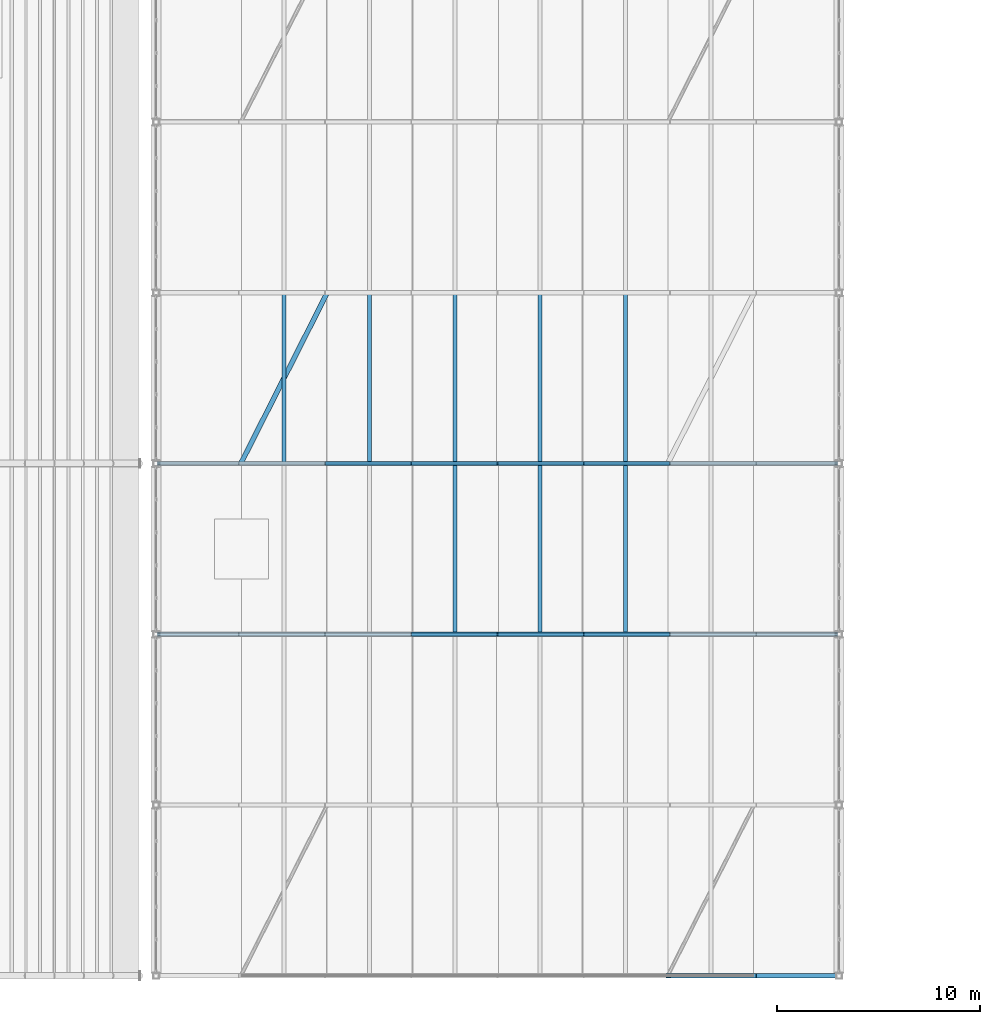
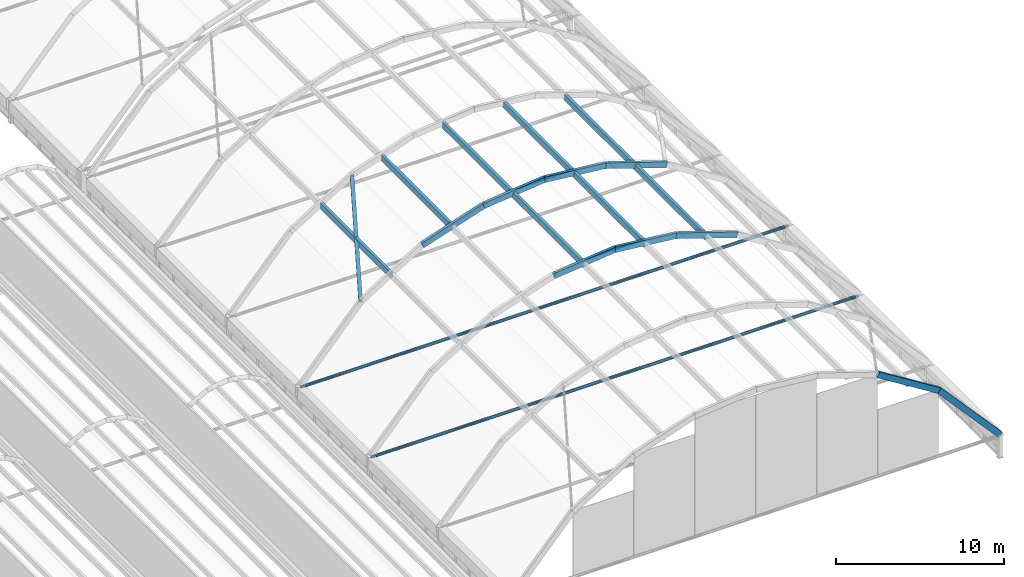
# One storey, part 20 of 114: 11 beams, 9 members.
"""IFC4 building model written with IfcOpenShell, lengths in metres."""

from ifc_helpers import new_model, si_unit, direction, frame, origin, origin_2d, place, context, subcontext, project, spatial, rectangle, hollow_rectangle, hollow_circle, i_section, extrude, material, material_profile, profile_set, type_object, element, save


model = new_model("IFC4")

# Units and contexts
model_context = context("Model", 3, precision=1e-05, world=origin(), true_north=direction((0.0, 1.0)))
body_context = subcontext(model_context, "Body", "Model", "MODEL_VIEW")
ifc_project = project(units=[si_unit("LENGTHUNIT", "METRE"), si_unit("AREAUNIT", "SQUARE_METRE"), si_unit("VOLUMEUNIT", "CUBIC_METRE"), si_unit("PLANEANGLEUNIT", "RADIAN"), si_unit("MASSUNIT", "GRAM", prefix="KILO")], contexts=[model_context])

# Site, building, storey
site_placement = place(None, origin())
site = spatial("IfcSite", under=ifc_project, at=site_placement, CompositionType="ELEMENT")
building_placement = place(site_placement, origin())
building = spatial("IfcBuilding", under=site, at=building_placement, Name="Xazarin Passage Department Store", CompositionType="ELEMENT")
storey_placement = place(building_placement, frame((0.0, 0.0, 14.39990234375)))
storey = spatial("IfcBuildingStorey", under=building, at=storey_placement, Name="L03", CompositionType="ELEMENT", Elevation=14.39990234375)

# Beams
ifc_material_1 = material(Name="Steel S355", Category="steel")
ifc_material_profile_1 = material_profile(ifc_material_1, hollow_rectangle(XDim=0.199951171875, YDim=0.39990234375, WallThickness=0.01611328125, at=origin_2d()), Name="RHS 400x200x16")
ifc_profile_set_1 = profile_set([ifc_material_profile_1], Name="Steel S355")
beam_type_1 = type_object("IfcBeamType", Name="STR-BM-AR400", PredefinedType="BEAM", material=ifc_profile_set_1)
beam_1_placement = place(storey_placement, frame((93.199951171875, 0.0, 8.95068359375), z_axis=(0.848571440894, 0.0, -0.529080815848), x_axis=(0.0, 1.0, 0.0)))
element("IfcBeam", 1, at=beam_1_placement, inside=storey, type_object=beam_type_1, Name="V2S Primary Arch Rib 1.7", PredefinedType="BEAM", context=body_context, shape_type="SweptSolid", body=[
    extrude(hollow_rectangle(XDim=0.199951171875, YDim=0.39990234375, WallThickness=0.01611328125, at=origin_2d()), origin(), (0.0, 0.0, 1.0), 4.949462890625),
])
beam_2_placement = place(storey_placement, frame((97.39990234375, 0.0, 6.33203125), z_axis=(0.667913050078, 0.0, -0.744239314694), x_axis=(0.0, 1.0, 0.0)))
element("IfcBeam", 2, at=beam_2_placement, inside=storey, type_object=beam_type_1, Name="V2S Primary Arch Rib 1.8", PredefinedType="BEAM", context=body_context, shape_type="SweptSolid", body=[
    extrude(hollow_rectangle(XDim=0.199951171875, YDim=0.39990234375, WallThickness=0.01611328125, at=origin_2d()), origin(), (0.0, 0.0, 1.0), 6.28857421875),
])
for number, where, z_axis, x_axis, name in (
    (3, (80.60009765625, 16.800048828125, 10.35400390625), (0.994407785938, 0.0, 0.105608499966), (0.0, 1.0, 0.0), "V2S Primary Arch Rib 3.4"),
    (4, (84.800048828125, 16.800048828125, 10.800048828125), (0.994407785938, 0.0, -0.105608499966), (0.0, 1.0, 0.0), "V2S Primary Arch Rib 3.5"),
):
    element("IfcBeam", number, at=place(storey_placement, frame(where, z_axis=z_axis, x_axis=x_axis)), inside=storey, type_object=beam_type_1, Name=name, PredefinedType="BEAM", context=body_context, shape_type="SweptSolid", body=[
        extrude(hollow_rectangle(XDim=0.199951171875, YDim=0.39990234375, WallThickness=0.01611328125, at=origin_2d()), origin(), (0.0, 0.0, 1.0), 4.2236328125),
    ])
beam_3_placement = place(storey_placement, frame((89.0, 16.800048828125, 10.35400390625), z_axis=(0.948457009421, 0.0, -0.316905823993), x_axis=(0.0, 1.0, 0.0)))
element("IfcBeam", 5, at=beam_3_placement, inside=storey, type_object=beam_type_1, Name="V2S Primary Arch Rib 3.6", PredefinedType="BEAM", context=body_context, shape_type="SweptSolid", body=[
    extrude(hollow_rectangle(XDim=0.199951171875, YDim=0.39990234375, WallThickness=0.01611328125, at=origin_2d()), origin(), (0.0, 0.0, 1.0), 4.42822265625),
])
beam_4_placement = place(storey_placement, frame((76.39990234375, 25.199951171875, 8.95068359375), z_axis=(0.948462545979, 0.0, 0.31688925333), x_axis=(0.0, 1.0, 0.0)))
element("IfcBeam", 6, at=beam_4_placement, inside=storey, type_object=beam_type_1, Name="V2S Primary Arch Rib 4.3", PredefinedType="BEAM", context=body_context, shape_type="SweptSolid", body=[
    extrude(hollow_rectangle(XDim=0.199951171875, YDim=0.39990234375, WallThickness=0.01611328125, at=origin_2d()), origin(), (0.0, 0.0, 1.0), 4.428466796875),
])
for number, where, z_axis, x_axis, name in (
    (7, (80.60009765625, 25.199951171875, 10.35400390625), (0.994407785938, 0.0, 0.105608499966), (0.0, 1.0, 0.0), "V2S Primary Arch Rib 4.4"),
    (8, (84.800048828125, 25.199951171875, 10.800048828125), (0.994407785938, 0.0, -0.105608499966), (0.0, 1.0, 0.0), "V2S Primary Arch Rib 4.5"),
):
    element("IfcBeam", number, at=place(storey_placement, frame(where, z_axis=z_axis, x_axis=x_axis)), inside=storey, type_object=beam_type_1, Name=name, PredefinedType="BEAM", context=body_context, shape_type="SweptSolid", body=[
        extrude(hollow_rectangle(XDim=0.199951171875, YDim=0.39990234375, WallThickness=0.01611328125, at=origin_2d()), origin(), (0.0, 0.0, 1.0), 4.2236328125),
    ])
beam_5_placement = place(storey_placement, frame((89.0, 25.199951171875, 10.35400390625), z_axis=(0.948457009421, 0.0, -0.316905823993), x_axis=(0.0, 1.0, 0.0)))
element("IfcBeam", 9, at=beam_5_placement, inside=storey, type_object=beam_type_1, Name="V2S Primary Arch Rib 4.6", PredefinedType="BEAM", context=body_context, shape_type="SweptSolid", body=[
    extrude(hollow_rectangle(XDim=0.199951171875, YDim=0.39990234375, WallThickness=0.01611328125, at=origin_2d()), origin(), (0.0, 0.0, 1.0), 4.42822265625),
])
ifc_material_profile_2 = material_profile(ifc_material_1, hollow_circle(Radius=0.109619140625, WallThickness=0.012451171875, at=origin_2d()), Name="CHS 219.1x12.5")
ifc_profile_set_2 = profile_set([ifc_material_profile_2], Name="Steel S355")
beam_type_2 = type_object("IfcBeamType", Name="STR-BM-TIE219", PredefinedType="BEAM", material=ifc_profile_set_2)
for number, where, z_axis, x_axis, name in (
    (10, (68.050048828125, 16.800048828125, 1.53173828125), (1.0, 0.0, 0.0), (0.0, 1.0, 0.0), "V2S Arch Tie Beam 3"),
    (11, (68.050048828125, 25.199951171875, 1.53173828125), (1.0, 0.0, 0.0), (0.0, 1.0, 0.0), "V2S Arch Tie Beam 4"),
):
    element("IfcBeam", number, at=place(storey_placement, frame(where, z_axis=z_axis, x_axis=x_axis)), inside=storey, type_object=beam_type_2, Name=name, PredefinedType="BEAM", context=body_context, shape_type="SweptSolid", body=[
        extrude(hollow_circle(Radius=0.109619140625, WallThickness=0.012451171875, at=origin_2d()), origin(), (0.0, 0.0, 1.0), 33.5),
    ])

# Members
ifc_material_2 = material(Name="Glulam GL28h", Category="wood")
ifc_material_profile_3 = material_profile(ifc_material_2, rectangle(XDim=0.199951171875, YDim=0.43994140625, at=origin_2d()), Name="GL28h 200x440")
ifc_profile_set_3 = profile_set([ifc_material_profile_3], Name="Glulam GL28h")
member_type_1 = type_object("IfcMemberType", Name="STR-MEM-GL440", PredefinedType="PURLIN", material=ifc_profile_set_3)
for number, where, z_axis, x_axis, name in (
    (12, (82.699951171875, 16.820068359375, 10.43701171875), (0.0, 1.0, 0.0), (-1.0, 0.0, 0.0), "V2S Glulam Gridshell Purlin 3.4"),
    (13, (86.89990234375, 16.820068359375, 10.43701171875), (0.0, 1.0, 0.0), (-1.0, 0.0, 0.0), "V2S Glulam Gridshell Purlin 3.5"),
    (14, (91.10009765625, 16.820068359375, 9.512451171875), (0.0, 1.0, 0.0), (-1.0, 0.0, 0.0), "V2S Glulam Gridshell Purlin 3.6"),
):
    element("IfcMember", number, at=place(storey_placement, frame(where, z_axis=z_axis, x_axis=x_axis)), inside=storey, type_object=member_type_1, Name=name, PredefinedType="PURLIN", context=body_context, shape_type="SweptSolid", body=[
        extrude(rectangle(XDim=0.199951171875, YDim=0.43994140625, at=origin_2d()), origin(), (0.0, 0.0, 1.0), 8.35986328125),
    ])
for number, where, z_axis, x_axis, name in (
    (15, (74.300048828125, 25.219970703125, 7.501220703125), (0.0, 1.0, 0.0), (-1.0, 0.0, 0.0), "V2S Glulam Gridshell Purlin 4.2"),
    (16, (78.5, 25.219970703125, 9.512451171875), (0.0, 1.0, 0.0), (-1.0, 0.0, 0.0), "V2S Glulam Gridshell Purlin 4.3"),
    (17, (82.699951171875, 25.219970703125, 10.43701171875), (0.0, 1.0, 0.0), (-1.0, 0.0, 0.0), "V2S Glulam Gridshell Purlin 4.4"),
    (18, (86.89990234375, 25.219970703125, 10.43701171875), (0.0, 1.0, 0.0), (-1.0, 0.0, 0.0), "V2S Glulam Gridshell Purlin 4.5"),
    (19, (91.10009765625, 25.219970703125, 9.512451171875), (0.0, 1.0, 0.0), (-1.0, 0.0, 0.0), "V2S Glulam Gridshell Purlin 4.6"),
):
    element("IfcMember", number, at=place(storey_placement, frame(where, z_axis=z_axis, x_axis=x_axis)), inside=storey, type_object=member_type_1, Name=name, PredefinedType="PURLIN", context=body_context, shape_type="SweptSolid", body=[
        extrude(rectangle(XDim=0.199951171875, YDim=0.43994140625, at=origin_2d()), origin(), (0.0, 0.0, 1.0), 8.360107421875),
    ])
ifc_material_profile_4 = material_profile(ifc_material_1, i_section(OverallWidth=0.239990234375, OverallDepth=0.239990234375, WebThickness=0.010009765625, FlangeThickness=0.01708984375, FilletRadius=0.02099609375, at=origin_2d()), Name="HEB 240")
ifc_profile_set_4 = profile_set([ifc_material_profile_4], Name="Steel S355")
member_type_2 = type_object("IfcMemberType", Name="STR-MEM-HB240", PredefinedType="BRACE", material=ifc_profile_set_4)
member_placement = place(storey_placement, frame((72.199951171875, 25.25, 6.281982421875), z_axis=(0.434609592328, 0.858886375073, 0.270977299733), x_axis=(-0.892269998561, 0.451502214467, 0.0)))
element("IfcMember", 20, at=member_placement, inside=storey, type_object=member_type_2, Name="V2S Gridshell Diagonal Brace 4.1", PredefinedType="BRACE", context=body_context, shape_type="SweptSolid", body=[
    extrude(i_section(OverallWidth=0.239990234375, OverallDepth=0.239990234375, WebThickness=0.010009765625, FlangeThickness=0.01708984375, FilletRadius=0.02099609375, at=origin_2d()), origin(), (0.0, 0.0, 1.0), 9.663818359375),
])

save(model, "model.ifc")
